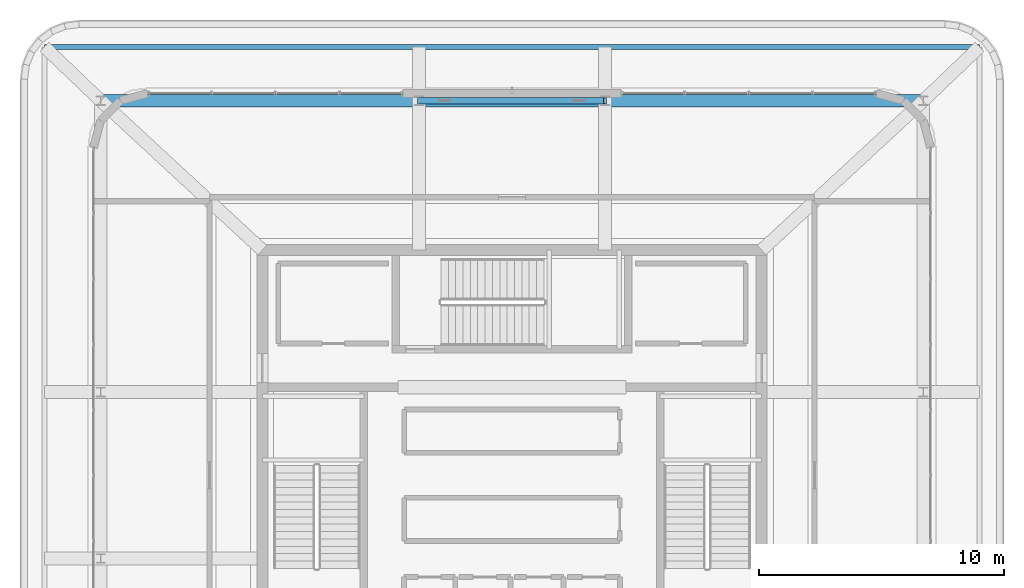
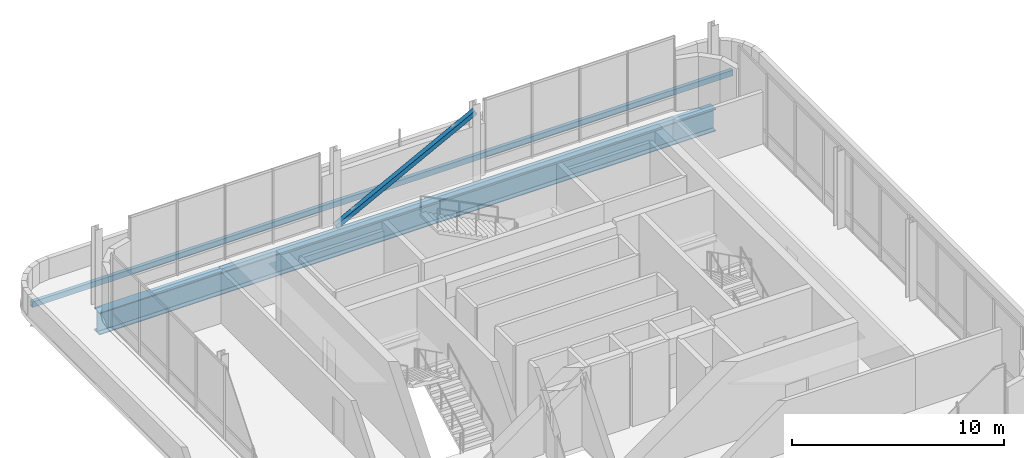
# One storey, part 18 of 28: 2 beams, 1 member.
"""IFC4 building model written with IfcOpenShell, lengths in metres."""

from ifc_helpers import new_model, si_unit, direction, frame, origin, origin_2d, place, context, subcontext, project, spatial, hollow_rectangle, i_section, extrude, material, material_profile, profile_set, type_object, element, save


model = new_model("IFC4")

# Units and contexts
model_context = context("Model", 3, precision=1e-05, world=origin(), true_north=direction((0.0, 1.0)))
body_context = subcontext(model_context, "Body", "Model", "MODEL_VIEW")
ifc_project = project(units=[si_unit("LENGTHUNIT", "METRE"), si_unit("AREAUNIT", "SQUARE_METRE"), si_unit("VOLUMEUNIT", "CUBIC_METRE"), si_unit("PLANEANGLEUNIT", "RADIAN"), si_unit("MASSUNIT", "GRAM", prefix="KILO")], contexts=[model_context])

# Site, building, storey
site_placement = place(None, origin())
site = spatial("IfcSite", under=ifc_project, at=site_placement, CompositionType="ELEMENT")
building_placement = place(site_placement, origin())
building = spatial("IfcBuilding", under=site, at=building_placement, Name="Punatoya Terracotta Tower", CompositionType="ELEMENT")
storey_placement = place(building_placement, frame((0.0, 0.0, 352.800048828125)))
storey = spatial("IfcBuildingStorey", under=building, at=storey_placement, Name="L83", CompositionType="ELEMENT", Elevation=352.800048828125)

# Beams
ifc_material_1 = material(Name="Steel S355", Category="steel")
ifc_material_profile_1 = material_profile(ifc_material_1, hollow_rectangle(XDim=0.199951171875, YDim=0.320068359375, WallThickness=0.01611328125, at=origin_2d()))
ifc_profile_set_1 = profile_set([ifc_material_profile_1], Name="Steel S355")
beam_type_1 = type_object("IfcBeamType", Name="BM-CRN-320", PredefinedType="BEAM", material=ifc_profile_set_1)
beam_1_placement = place(storey_placement, frame((-19.10009765625, 17.5, -0.43994140625), z_axis=(1.0, 0.0, 0.0), x_axis=(0.0, 1.0, 0.0)))
element("IfcBeam", 1, at=beam_1_placement, inside=storey, type_object=beam_type_1, Name="BM-L83-ON", PredefinedType="BEAM", context=body_context, shape_type="SweptSolid", body=[
    extrude(hollow_rectangle(XDim=0.199951171875, YDim=0.320068359375, WallThickness=0.01611328125, at=origin_2d()), origin(), (0.0, 0.0, 1.0), 38.2001953125),
])
ifc_material_2 = material(Name="Steel S460", Category="steel")
ifc_material_profile_2 = material_profile(ifc_material_2, i_section(OverallWidth=0.52001953125, OverallDepth=1.280029296875, WebThickness=0.031982421875, FlangeThickness=0.050048828125, FilletRadius=0.01806640625, at=origin_2d()))
ifc_profile_set_2 = profile_set([ifc_material_profile_2], Name="Steel S460")
beam_type_2 = type_object("IfcBeamType", Name="BM-TG-NCK", PredefinedType="BEAM", material=ifc_profile_set_2)
beam_2_placement = place(storey_placement, frame((-16.800048828125, 15.300048828125, -0.920166015625), z_axis=(1.0, 0.0, 0.0), x_axis=(0.0, 1.0, 0.0)))
element("IfcBeam", 2, at=beam_2_placement, inside=storey, type_object=beam_type_2, Name="BM-L83-RN", PredefinedType="BEAM", context=body_context, shape_type="SweptSolid", body=[
    extrude(i_section(OverallWidth=0.52001953125, OverallDepth=1.280029296875, WebThickness=0.031982421875, FlangeThickness=0.050048828125, FilletRadius=0.01806640625, at=origin_2d()), origin(), (0.0, 0.0, 1.0), 33.60009765625),
])

# Member
ifc_material_profile_3 = material_profile(ifc_material_1, hollow_rectangle(XDim=0.260009765625, YDim=0.260009765625, WallThickness=0.013916015625, at=origin_2d()))
ifc_profile_set_3 = profile_set([ifc_material_profile_3], Name="Steel S355")
member_type = type_object("IfcMemberType", Name="MEM-CRN-260", PredefinedType="BRACE", material=ifc_profile_set_3)
member_placement = place(storey_placement, frame((-3.800048828125, 15.300048828125, 0.02001953125), z_axis=(0.886838693797, 0.0, 0.462079139524), x_axis=(0.0, 1.0, 0.0)))
element("IfcMember", 3, at=member_placement, inside=storey, type_object=member_type, Name="L83 Crown Frame Wind Brace N", PredefinedType="BRACE", context=body_context, shape_type="SweptSolid", body=[
    extrude(hollow_rectangle(XDim=0.260009765625, YDim=0.260009765625, WallThickness=0.013916015625, at=origin_2d()), origin(), (0.0, 0.0, 1.0), 8.56982421875),
])

save(model, "model.ifc")
